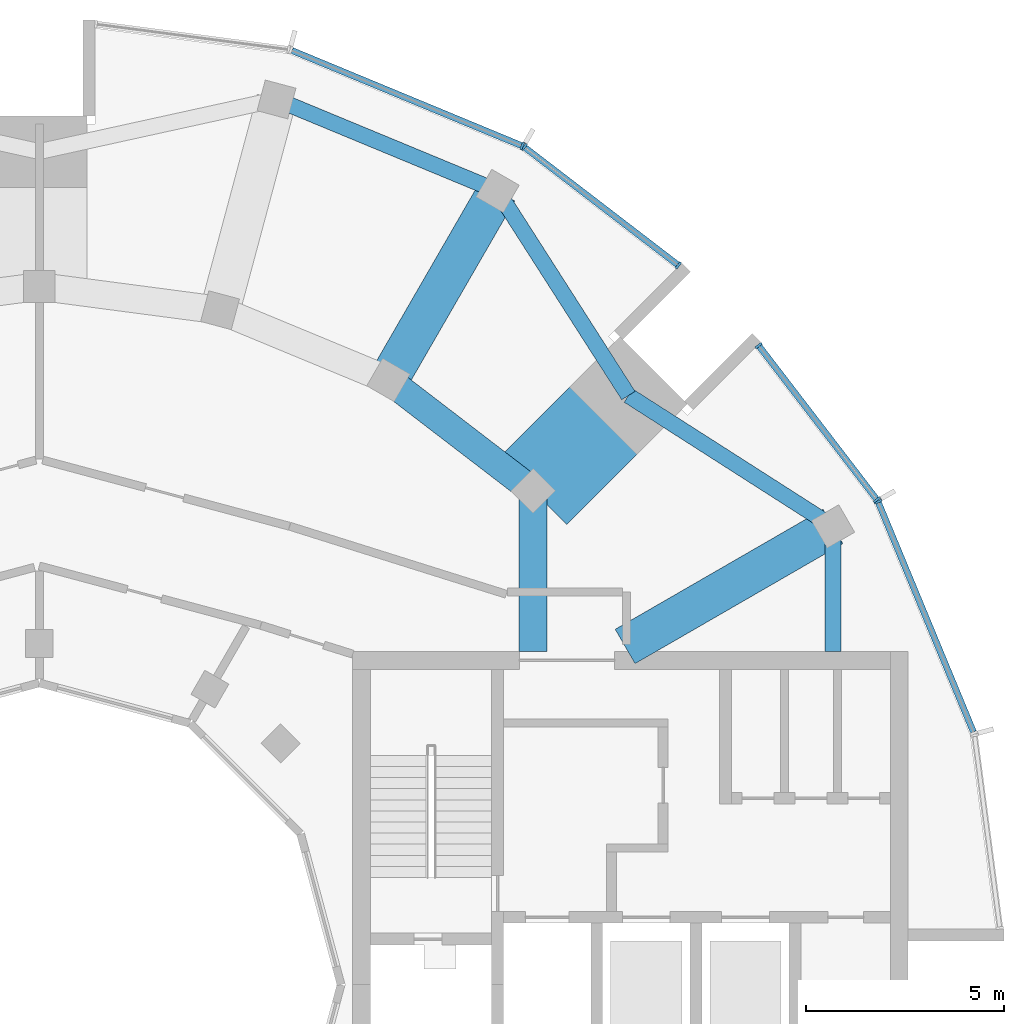
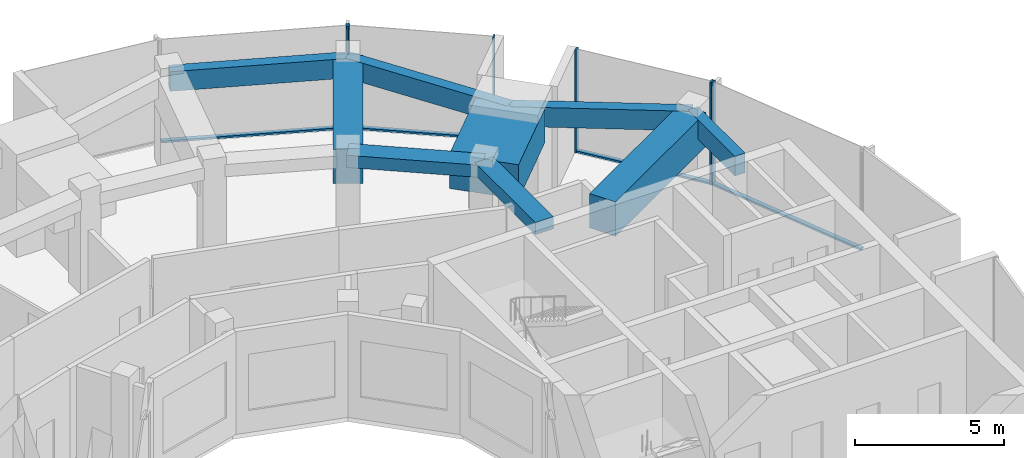
# One storey, part 6 of 14: 10 members, 9 beams, 4 elements without a shape of their own.
"""IFC4 building model written with IfcOpenShell, lengths in metres."""

from ifc_helpers import new_model, si_unit, direction, frame, origin, origin_2d, place, context, subcontext, project, spatial, rectangle, extrude, material, layer, layer_set, material_profile, profile_set, type_object, element, aggregate, save


model = new_model("IFC4")

# Units and contexts
model_context = context("Model", 3, precision=1e-05, world=origin(), true_north=direction((0.0, 1.0)))
body_context = subcontext(model_context, "Body", "Model", "MODEL_VIEW")
ifc_project = project(units=[si_unit("LENGTHUNIT", "METRE"), si_unit("AREAUNIT", "SQUARE_METRE"), si_unit("VOLUMEUNIT", "CUBIC_METRE"), si_unit("PLANEANGLEUNIT", "RADIAN"), si_unit("MASSUNIT", "GRAM", prefix="KILO")], contexts=[model_context])

# Site, building, storey
site_placement = place(None, origin())
site = spatial("IfcSite", under=ifc_project, at=site_placement, CompositionType="ELEMENT")
building_placement = place(site_placement, origin())
building = spatial("IfcBuilding", under=site, at=building_placement, Name="Torre Brocal", CompositionType="ELEMENT")
storey_placement = place(building_placement, frame((0.0, 0.0, 288.300048828125)))
storey = spatial("IfcBuildingStorey", under=building, at=storey_placement, Name="L66", CompositionType="ELEMENT", Elevation=288.300048828125)

# Curtain wall, member
ifc_material_1 = material(Name="Aluminium and glass", Category="aluminium")
ifc_layer = layer(ifc_material_1, 0.199951171875)
ifc_layer_set = layer_set([ifc_layer], Name="Aluminium and glass")
curtain_wall_type = type_object("IfcCurtainWallType", Name="CW-1 CURTAIN WALL 4200 HIGH", PredefinedType="NOTDEFINED", material=ifc_layer_set)
curtain_wall_1_placement = place(storey_placement, origin())
curtain_wall_1 = element("IfcCurtainWall", 1, at=curtain_wall_1_placement, inside=storey, type_object=curtain_wall_type, Name="CW-1 RUN 2", PredefinedType="NOTDEFINED")
ifc_material_2 = material(Name="Aluminium, dark anodised", Category="aluminium")
ifc_material_profile_1 = material_profile(ifc_material_2, rectangle(XDim=0.199951171875, YDim=0.06005859375, at=origin_2d()), Name="CW-1 MULLION 60X200")
ifc_profile_set_1 = profile_set([ifc_material_profile_1], Name="Aluminium, dark anodised")
member_type_1 = type_object("IfcMemberType", Name="CW-1 MULLION 60X200", PredefinedType="MULLION", material=ifc_profile_set_1)
member_1_placement = place(storey_placement, frame((101.141845703125, 87.171875, 0.0), z_axis=(0.0, 0.0, 1.0), x_axis=(-0.923879532471, -0.382683432462, 0.0)))
member_1 = element("IfcMember", 2, at=member_1_placement, type_object=member_type_1, Name="CW1-5 mullion 2", PredefinedType="MULLION", context=body_context, shape_type="SweptSolid", body=[
    extrude(rectangle(XDim=0.199951171875, YDim=0.06005859375, at=origin_2d()), origin(), (0.0, 0.0, 1.0), 4.199951171875),
])

# Curtain wall, members
curtain_wall_2_placement = place(storey_placement, origin())
curtain_wall_2 = element("IfcCurtainWall", 3, at=curtain_wall_2_placement, inside=storey, type_object=curtain_wall_type, Name="CW-1 RUN 3", PredefinedType="NOTDEFINED")
member_2_placement = place(storey_placement, frame((101.112060546875, 87.223388671875, 0.0), z_axis=(0.0, 0.0, 1.0), x_axis=(-0.793353340344, -0.608761428939, 0.0)))
member_2 = element("IfcMember", 4, at=member_2_placement, type_object=member_type_1, Name="CW1-5 mullion 1", PredefinedType="MULLION", context=body_context, shape_type="SweptSolid", body=[
    extrude(rectangle(XDim=0.199951171875, YDim=0.06005859375, at=origin_2d()), origin(), (0.0, 0.0, 1.0), 4.199951171875),
])
member_3_placement = place(storey_placement, frame((98.130615234375, 91.108642578125, 0.0), z_axis=(0.0, 0.0, 1.0), x_axis=(-0.793353340344, -0.608761428939, 0.0)))
member_3 = element("IfcMember", 5, at=member_3_placement, type_object=member_type_1, Name="CW1-5 mullion 2", PredefinedType="MULLION", context=body_context, shape_type="SweptSolid", body=[
    extrude(rectangle(XDim=0.199951171875, YDim=0.06005859375, at=origin_2d()), origin(), (0.0, 0.0, 1.0), 4.199951171875),
])

curtain_wall_3_placement = place(storey_placement, origin())
curtain_wall_3 = element("IfcCurtainWall", 6, at=curtain_wall_3_placement, inside=storey, type_object=curtain_wall_type, Name="CW-1 RUN 4", PredefinedType="NOTDEFINED")
member_4_placement = place(storey_placement, frame((96.108642578125, 93.130615234375, 0.0), z_axis=(0.0, 0.0, 1.0), x_axis=(-0.608761428939, -0.793353340344, 0.0)))
member_4 = element("IfcMember", 7, at=member_4_placement, type_object=member_type_1, Name="CW1-5 mullion 1", PredefinedType="MULLION", context=body_context, shape_type="SweptSolid", body=[
    extrude(rectangle(XDim=0.199951171875, YDim=0.06005859375, at=origin_2d()), origin(), (0.0, 0.0, 1.0), 4.199951171875),
])
member_5_placement = place(storey_placement, frame((92.223388671875, 96.112060546875, 0.0), z_axis=(0.0, 0.0, 1.0), x_axis=(-0.608761428939, -0.793353340344, 0.0)))
member_5 = element("IfcMember", 8, at=member_5_placement, type_object=member_type_1, Name="CW1-5 mullion 2", PredefinedType="MULLION", context=body_context, shape_type="SweptSolid", body=[
    extrude(rectangle(XDim=0.199951171875, YDim=0.06005859375, at=origin_2d()), origin(), (0.0, 0.0, 1.0), 4.199951171875),
])

# Curtain wall, member
curtain_wall_4_placement = place(storey_placement, origin())
curtain_wall_4 = element("IfcCurtainWall", 9, at=curtain_wall_4_placement, inside=storey, type_object=curtain_wall_type, Name="CW-1 RUN 5", PredefinedType="NOTDEFINED")
member_6_placement = place(storey_placement, frame((92.171875, 96.141845703125, 0.0), z_axis=(0.0, 0.0, 1.0), x_axis=(-0.382683432462, -0.923879532471, 0.0)))
member_6 = element("IfcMember", 10, at=member_6_placement, type_object=member_type_1, Name="CW1-5 mullion 1", PredefinedType="MULLION", context=body_context, shape_type="SweptSolid", body=[
    extrude(rectangle(XDim=0.199951171875, YDim=0.06005859375, at=origin_2d()), origin(), (0.0, 0.0, 1.0), 4.199951171875),
])

# Member
ifc_material_3 = material(Name="Aluminium, dark anodised", Category="aluminium")
ifc_material_profile_2 = material_profile(ifc_material_3, rectangle(XDim=0.159912109375, YDim=0.080078125, at=origin_2d()), Name="CW-1 TRANSOM 160X80")
ifc_profile_set_2 = profile_set([ifc_material_profile_2], Name="Aluminium, dark anodised")
member_type_2 = type_object("IfcMemberType", Name="CW-1 TRANSOM 160X80", PredefinedType="USERDEFINED", material=ifc_profile_set_2)
member_7_placement = place(storey_placement, frame((103.544677734375, 81.370361328125, 0.0400390625), z_axis=(-0.382658872004, 0.923889705363, 0.0), x_axis=(-0.923889705363, -0.382658872004, 0.0)))
member_7 = element("IfcMember", 11, at=member_7_placement, type_object=member_type_2, Name="CW1-5 transom 1.1", ObjectType="TRANSOM", PredefinedType="USERDEFINED", context=body_context, shape_type="SweptSolid", body=[
    extrude(rectangle(XDim=0.159912109375, YDim=0.080078125, at=origin_2d()), origin(), (0.0, 0.0, 1.0), 6.249267578125),
])

aggregate(curtain_wall_1, [member_1, member_7])

member_8_placement = place(storey_placement, frame((101.09375, 87.2470703125, 0.0400390625), z_axis=(-0.608749350163, 0.793362608569, 0.0), x_axis=(-0.793362608569, -0.608749350163, 0.0)))
member_8 = element("IfcMember", 12, at=member_8_placement, type_object=member_type_2, Name="CW1-5 transom 1.1", ObjectType="TRANSOM", PredefinedType="USERDEFINED", context=body_context, shape_type="SweptSolid", body=[
    extrude(rectangle(XDim=0.159912109375, YDim=0.080078125, at=origin_2d()), origin(), (0.0, 0.0, 1.0), 4.83740234375),
])

aggregate(curtain_wall_2, [member_2, member_3, member_8])

member_9_placement = place(storey_placement, frame((96.0849609375, 93.14892578125, 0.0400390625), z_axis=(-0.793362608569, 0.608749350163, 0.0), x_axis=(-0.608749350163, -0.793362608569, 0.0)))
member_9 = element("IfcMember", 13, at=member_9_placement, type_object=member_type_2, Name="CW1-5 transom 1.1", ObjectType="TRANSOM", PredefinedType="USERDEFINED", context=body_context, shape_type="SweptSolid", body=[
    extrude(rectangle(XDim=0.159912109375, YDim=0.080078125, at=origin_2d()), origin(), (0.0, 0.0, 1.0), 4.83740234375),
])

aggregate(curtain_wall_3, [member_4, member_5, member_9])

member_10_placement = place(storey_placement, frame((92.14404296875, 96.1533203125, 0.0400390625), z_axis=(-0.923889705363, 0.382658872004, 0.0), x_axis=(-0.382658872004, -0.923889705363, 0.0)))
member_10 = element("IfcMember", 14, at=member_10_placement, type_object=member_type_2, Name="CW1-5 transom 1.1", ObjectType="TRANSOM", PredefinedType="USERDEFINED", context=body_context, shape_type="SweptSolid", body=[
    extrude(rectangle(XDim=0.159912109375, YDim=0.080078125, at=origin_2d()), origin(), (0.0, 0.0, 1.0), 6.249267578125),
])

aggregate(curtain_wall_4, [member_6, member_10])

# Beams
ifc_material_4 = material(Name="Concrete C50", Category="concrete")
ifc_material_profile_3 = material_profile(ifc_material_4, rectangle(XDim=0.699951171875, YDim=0.5, at=origin_2d()), Name="RC 700X500")
ifc_profile_set_3 = profile_set([ifc_material_profile_3], Name="Concrete C50")
beam_type_1 = type_object("IfcBeamType", Name="RC BEAM 700X500 C50 TOP 3880", PredefinedType="BEAM", material=ifc_profile_set_3)
beam_1_placement = place(storey_placement, frame((92.445068359375, 87.445068359375, 3.6298828125), z_axis=(-0.793358265959, 0.6087550097, 0.0), x_axis=(-0.6087550097, -0.793358265959, 0.0)))
element("IfcBeam", 15, at=beam_1_placement, inside=storey, type_object=beam_type_1, Name="Beam BT-37", PredefinedType="BEAM", context=body_context, shape_type="SweptSolid", body=[
    extrude(rectangle(XDim=0.699951171875, YDim=0.5, at=origin_2d()), origin(), (0.0, 0.0, 1.0), 4.594482421875),
])
beam_2_placement = place(storey_placement, frame((92.445068359375, 87.445068359375, 3.6298828125), z_axis=(0.0, -1.0, 0.0), x_axis=(1.0, 0.0, 0.0)))
element("IfcBeam", 16, at=beam_2_placement, inside=storey, type_object=beam_type_1, Name="Beam BT-37", PredefinedType="BEAM", context=body_context, shape_type="SweptSolid", body=[
    extrude(rectangle(XDim=0.699951171875, YDim=0.5, at=origin_2d()), origin(), (0.0, 0.0, 1.0), 4.045166015625),
])
ifc_material_5 = material(Name="Concrete C50", Category="concrete")
ifc_material_profile_4 = material_profile(ifc_material_5, rectangle(XDim=0.39990234375, YDim=0.800048828125, at=origin_2d()), Name="RC 400X800")
ifc_profile_set_4 = profile_set([ifc_material_profile_4], Name="Concrete C50")
beam_type_2 = type_object("IfcBeamType", Name="RC SPANDREL BEAM 400X800 C50 TOP 3880", PredefinedType="SPANDREL", material=ifc_profile_set_4)
for number, where, z_axis, x_axis, name in (
    (17, (100.005126953125, 86.550048828125, 3.47998046875), (-0.842328620069, 0.538964280647, 0.0), (-0.538964280647, -0.842328620069, 0.0), "Beam BT-47"),
    (18, (94.84912109375, 89.84912109375, 3.47998046875), (-0.538964280647, 0.842328620069, 0.0), (-0.842328620069, -0.538964280647, 0.0), "Beam BT-47"),
):
    element("IfcBeam", number, at=place(storey_placement, frame(where, z_axis=z_axis, x_axis=x_axis)), inside=storey, type_object=beam_type_2, Name=name, PredefinedType="SPANDREL", context=body_context, shape_type="SweptSolid", body=[
        extrude(rectangle(XDim=0.39990234375, YDim=0.800048828125, at=origin_2d()), origin(), (0.0, 0.0, 1.0), 6.12109375),
    ])
beam_3_placement = place(storey_placement, frame((91.550048828125, 95.005126953125, 3.47998046875), z_axis=(-0.923870278372, 0.38270577307, 0.0), x_axis=(-0.38270577307, -0.923870278372, 0.0)))
element("IfcBeam", 19, at=beam_3_placement, inside=storey, type_object=beam_type_2, Name="Beam BT-47", PredefinedType="SPANDREL", context=body_context, shape_type="SweptSolid", body=[
    extrude(rectangle(XDim=0.39990234375, YDim=0.800048828125, at=origin_2d()), origin(), (0.0, 0.0, 1.0), 6.0302734375),
])
beam_4_placement = place(storey_placement, frame((100.005126953125, 86.550048828125, 3.47998046875), z_axis=(0.0, -1.0, 0.0), x_axis=(1.0, 0.0, 0.0)))
element("IfcBeam", 20, at=beam_4_placement, inside=storey, type_object=beam_type_2, Name="Beam BT-47", PredefinedType="SPANDREL", context=body_context, shape_type="SweptSolid", body=[
    extrude(rectangle(XDim=0.39990234375, YDim=0.800048828125, at=origin_2d()), origin(), (0.0, 0.0, 1.0), 3.150146484375),
])
ifc_material_6 = material(Name="Concrete C60", Category="concrete")
ifc_material_profile_5 = material_profile(ifc_material_6, rectangle(XDim=1.0, YDim=1.39990234375, at=origin_2d()), Name="RC 1000X1400")
ifc_profile_set_5 = profile_set([ifc_material_profile_5], Name="Concrete C60")
beam_type_3 = type_object("IfcBeamType", Name="RC TRANSFER GIRDER 1000X1400 C60 TOP 3880", PredefinedType="BEAM", material=ifc_profile_set_5)
beam_5_placement = place(storey_placement, frame((88.800048828125, 90.241943359375, 3.179931640625), z_axis=(0.499996545922, 0.866027397988, 0.0), x_axis=(-0.866027397988, 0.499996545922, 0.0)))
element("IfcBeam", 21, at=beam_5_placement, inside=storey, type_object=beam_type_3, Name="Beam TG-07", PredefinedType="BEAM", context=body_context, shape_type="SweptSolid", body=[
    extrude(rectangle(XDim=1.0, YDim=1.39990234375, at=origin_2d()), origin(), (0.0, 0.0, 1.0), 5.5),
])
beam_6_placement = place(storey_placement, frame((94.765625, 83.52490234375, 3.179931640625), z_axis=(0.866016913815, 0.50001470477, 0.0), x_axis=(-0.50001470477, 0.866016913815, 0.0)))
element("IfcBeam", 22, at=beam_6_placement, inside=storey, type_object=beam_type_3, Name="Beam TG-07", PredefinedType="BEAM", context=body_context, shape_type="SweptSolid", body=[
    extrude(rectangle(XDim=1.0, YDim=1.39990234375, at=origin_2d()), origin(), (0.0, 0.0, 1.0), 6.050048828125),
])
ifc_material_7 = material(Name="Concrete C60", Category="concrete")
ifc_material_profile_6 = material_profile(ifc_material_7, rectangle(XDim=2.39990234375, YDim=1.39990234375, at=origin_2d()), Name="RC 2400X1400")
ifc_profile_set_6 = profile_set([ifc_material_profile_6], Name="Concrete C60")
beam_type_4 = type_object("IfcBeamType", Name="RC TRANSFER GIRDER 2400X1400 C60 TOP 3880", PredefinedType="BEAM", material=ifc_profile_set_6)
beam_7_placement = place(storey_placement, frame((92.445068359375, 87.445068359375, 3.179931640625), z_axis=(0.707106781187, 0.707106781187, 0.0), x_axis=(-0.707106781187, 0.707106781187, 0.0)))
element("IfcBeam", 23, at=beam_7_placement, inside=storey, type_object=beam_type_4, Name="Beam TG-08", PredefinedType="BEAM", context=body_context, shape_type="SweptSolid", body=[
    extrude(rectangle(XDim=2.39990234375, YDim=1.39990234375, at=origin_2d()), origin(), (0.0, 0.0, 1.0), 3.39990234375),
])

save(model, "model.ifc")
